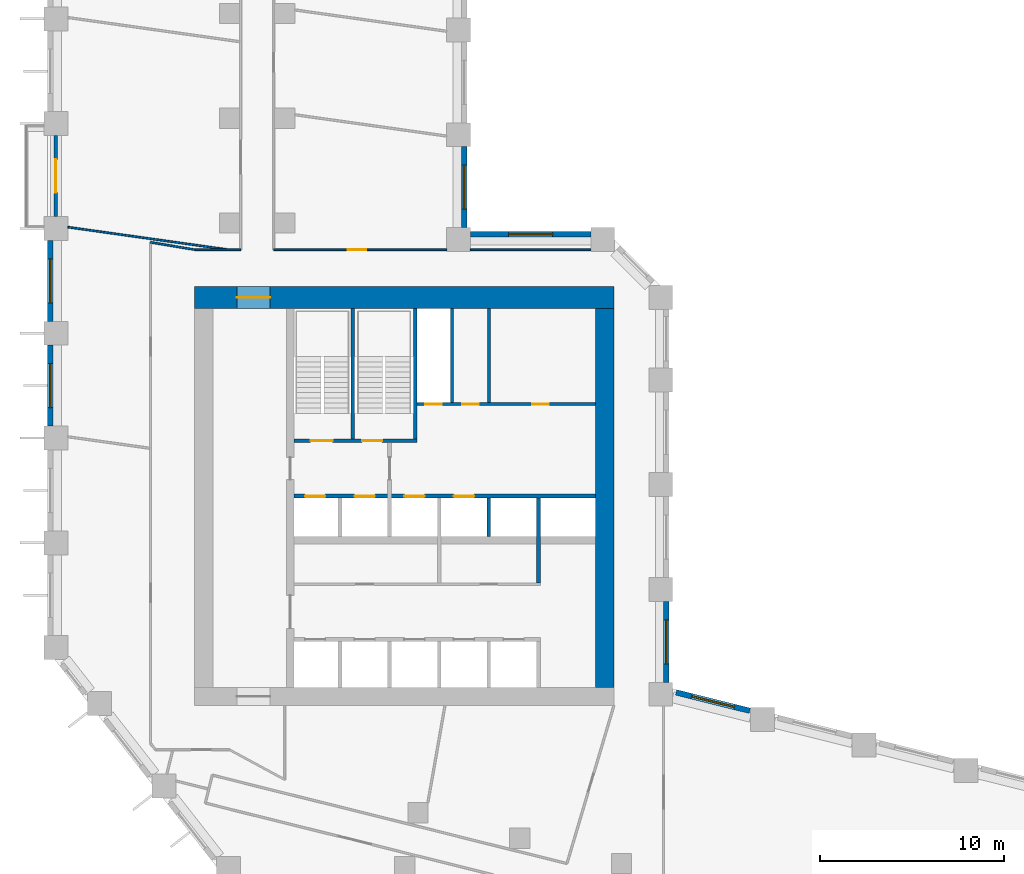
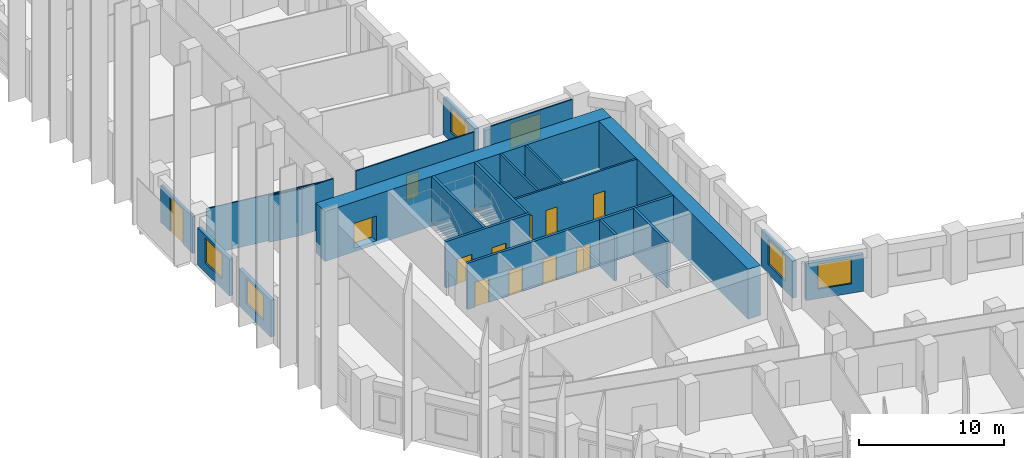
# One storey, part 5 of 10: 23 walls, 12 doors, 6 windows, 18 openings.
"""IFC4 building model written with IfcOpenShell, lengths in metres."""

from ifc_helpers import new_model, si_unit, direction, frame, frame_2d, origin, place, context, subcontext, project, spatial, rectangle, extrude, material, layer, layer_set, type_object, element, fill, save


model = new_model("IFC4")

# Units and contexts
model_context = context("Model", 3, precision=1e-05, world=origin(), true_north=direction((0.0, 1.0)))
body_context = subcontext(model_context, "Body", "Model", "MODEL_VIEW")
ifc_project = project(units=[si_unit("LENGTHUNIT", "METRE"), si_unit("AREAUNIT", "SQUARE_METRE"), si_unit("VOLUMEUNIT", "CUBIC_METRE"), si_unit("PLANEANGLEUNIT", "RADIAN"), si_unit("MASSUNIT", "GRAM", prefix="KILO")], contexts=[model_context])

# Site, building, storey
site_placement = place(None, origin())
site = spatial("IfcSite", under=ifc_project, at=site_placement, CompositionType="ELEMENT")
building_placement = place(site_placement, origin())
building = spatial("IfcBuilding", under=site, at=building_placement, Name="Meshkara Civic Tower", CompositionType="ELEMENT")
storey_placement = place(building_placement, frame((0.0, 0.0, 114.0)))
storey = spatial("IfcBuildingStorey", under=building, at=storey_placement, Name="L25", CompositionType="ELEMENT", Elevation=114.0)

# Wall, openings, doors
ifc_material_1 = material(Name="Blockwork", Category="masonry")
ifc_layer_1 = layer(ifc_material_1, 0.14990234375)
ifc_layer_set_1 = layer_set([ifc_layer_1], Name="Core partition 150")
wall_type_1 = type_object("IfcWallType", Name="Core partition 150", PredefinedType="PARTITIONING", material=ifc_layer_set_1)
wall_1_placement = place(storey_placement, frame((20.10009765625, 30.5, 0.0), z_axis=(0.0, 0.0, 1.0), x_axis=(1.0, 0.0, 0.0)))
wall_1 = element("IfcWall", 1, at=wall_1_placement, inside=storey, type_object=wall_type_1, Name="L25-C010", PredefinedType="PARTITIONING", context=body_context, shape_type="SweptSolid", body=[
    extrude(rectangle(XDim=9.699951171875, YDim=0.14990234375, at=frame_2d((4.85009765625, 0.0))), origin(), (0.0, 0.0, 1.0), 3.89990234375),
])
opening_1_placement = place(wall_1_placement, frame((0.449951171875, 0.0, 0.0)))
opening_1 = element("IfcOpeningElement", 2, at=opening_1_placement, cuts=wall_1, Name="Opening L25-K012", PredefinedType="OPENING", context=body_context, shape_type="SweptSolid", body=[
    extrude(rectangle(XDim=0.89990234375, YDim=2.10009765625, at=frame_2d((0.449951171875, 1.050048828125))), frame((0.0, 0.0849609375, 0.0), z_axis=(0.0, -1.0, 0.0), x_axis=(1.0, 0.0, 0.0)), (0.0, 0.0, 1.0), 0.169921875),
])
opening_2_placement = place(wall_1_placement, frame((2.449951171875, 0.0, 0.0)))
opening_2 = element("IfcOpeningElement", 3, at=opening_2_placement, cuts=wall_1, Name="Opening L25-K013", PredefinedType="OPENING", context=body_context, shape_type="SweptSolid", body=[
    extrude(rectangle(XDim=0.89990234375, YDim=2.10009765625, at=frame_2d((0.449951171875, 1.050048828125))), frame((0.0, 0.0849609375, 0.0), z_axis=(0.0, -1.0, 0.0), x_axis=(1.0, 0.0, 0.0)), (0.0, 0.0, 1.0), 0.169921875),
])
opening_3_placement = place(wall_1_placement, frame((6.25, 0.0, 0.0)))
opening_3 = element("IfcOpeningElement", 4, at=opening_3_placement, cuts=wall_1, Name="Opening L25-K014", PredefinedType="OPENING", context=body_context, shape_type="SweptSolid", body=[
    extrude(rectangle(XDim=0.89990234375, YDim=2.10009765625, at=frame_2d((0.449951171875, 1.050048828125))), frame((0.0, 0.0849609375, 0.0), z_axis=(0.0, -1.0, 0.0), x_axis=(1.0, 0.0, 0.0)), (0.0, 0.0, 1.0), 0.169921875),
])
ifc_material_2 = material(Name="Timber door leaf in steel frame", Category="steel")
door_type_1 = type_object("IfcDoorType", Name="Core room door 900", OperationType="SINGLE_SWING_LEFT", PredefinedType="DOOR", material=ifc_material_2)
door_1_placement = place(opening_3_placement, origin())
door_1 = element("IfcDoor", 5, at=door_1_placement, inside=storey, type_object=door_type_1, Name="L25-K014", OperationType="SINGLE_SWING_RIGHT", OverallHeight=2.10009765625, OverallWidth=0.89990234375, PredefinedType="DOOR", context=body_context, shape_type="SweptSolid", body=[
    extrude(rectangle(XDim=0.89990234375, YDim=2.10009765625, at=frame_2d((0.449951171875, 1.050048828125))), frame((0.0, 0.02490234375, 0.0), z_axis=(0.0, -1.0, 0.0), x_axis=(1.0, 0.0, 0.0)), (0.0, 0.0, 1.0), 0.050048828125),
])
fill(opening_3, door_1)
ifc_material_3 = material(Name="Fire-rated door leaf in steel frame", Category="steel")
door_type_2 = type_object("IfcDoorType", Name="Riser door 900", OperationType="SINGLE_SWING_LEFT", PredefinedType="DOOR", material=ifc_material_3)
door_2_placement = place(opening_1_placement, origin())
door_2 = element("IfcDoor", 6, at=door_2_placement, inside=storey, type_object=door_type_2, Name="L25-K012", OperationType="SINGLE_SWING_RIGHT", OverallHeight=2.10009765625, OverallWidth=0.89990234375, PredefinedType="DOOR", context=body_context, shape_type="SweptSolid", body=[
    extrude(rectangle(XDim=0.89990234375, YDim=2.10009765625, at=frame_2d((0.449951171875, 1.050048828125))), frame((0.0, 0.02490234375, 0.0), z_axis=(0.0, -1.0, 0.0), x_axis=(1.0, 0.0, 0.0)), (0.0, 0.0, 1.0), 0.050048828125),
])
fill(opening_1, door_2)
ifc_material_4 = material(Name="Timber door leaf in steel frame", Category="steel")
door_type_3 = type_object("IfcDoorType", Name="WC door 900", OperationType="SINGLE_SWING_LEFT", PredefinedType="DOOR", material=ifc_material_4)
door_3_placement = place(opening_2_placement, origin())
door_3 = element("IfcDoor", 7, at=door_3_placement, inside=storey, type_object=door_type_3, Name="L25-K013", OperationType="SINGLE_SWING_LEFT", OverallHeight=2.10009765625, OverallWidth=0.89990234375, PredefinedType="DOOR", context=body_context, shape_type="SweptSolid", body=[
    extrude(rectangle(XDim=0.89990234375, YDim=2.10009765625, at=frame_2d((0.449951171875, 1.050048828125))), frame((0.0, 0.02490234375, 0.0), z_axis=(0.0, -1.0, 0.0), x_axis=(1.0, 0.0, 0.0)), (0.0, 0.0, 1.0), 0.050048828125),
])
fill(opening_2, door_3)

# Walls
for number, where, z_axis, x_axis, name in (
    (8, (22.0, 30.574951171875, 0.0), (0.0, 0.0, 1.0), (0.0, 1.0, 0.0), "L25-C020"),
    (9, (24.0, 30.574951171875, 0.0), (0.0, 0.0, 1.0), (0.0, 1.0, 0.0), "L25-C023"),
):
    element("IfcWall", number, at=place(storey_placement, frame(where, z_axis=z_axis, x_axis=x_axis)), inside=storey, type_object=wall_type_1, Name=name, PredefinedType="PARTITIONING", context=body_context, shape_type="SweptSolid", body=[
        extrude(rectangle(XDim=5.125, YDim=0.14990234375, at=frame_2d((2.5625, 0.0))), origin(), (0.0, 0.0, 1.0), 3.89990234375),
    ])
ifc_material_5 = material(Name="Concrete C70", Category="concrete")
ifc_layer_2 = layer(ifc_material_5, 1.0)
ifc_layer_set_2 = layer_set([ifc_layer_2], Name="Core ring wall 1000 C70")
wall_type_2 = type_object("IfcWallType", Name="Core ring wall 1000 C70", PredefinedType="SHEAR", material=ifc_layer_set_2)
wall_2_placement = place(storey_placement, frame((30.300048828125, 15.10009765625, -0.300048828125), z_axis=(0.0, 0.0, 1.0), x_axis=(0.0, 1.0, 0.0)))
element("IfcWall", 10, at=wall_2_placement, inside=storey, type_object=wall_type_2, Name="L25-C004", PredefinedType="SHEAR", context=body_context, shape_type="SweptSolid", body=[
    extrude(rectangle(XDim=20.599853515625, YDim=1.0, at=frame_2d((10.2998046875, 0.0))), origin(), (0.0, 0.0, 1.0), 4.199951171875),
])

# Wall, opening, door
ifc_material_6 = material(Name="Concrete C70", Category="concrete")
ifc_layer_3 = layer(ifc_material_6, 1.199951171875)
ifc_layer_set_3 = layer_set([ifc_layer_3], Name="Core ring wall 1200 C70")
wall_type_3 = type_object("IfcWallType", Name="Core ring wall 1200 C70", PredefinedType="SHEAR", material=ifc_layer_set_3)
wall_3_placement = place(storey_placement, frame((8.0, 36.300048828125, -0.300048828125), z_axis=(0.0, 0.0, 1.0), x_axis=(1.0, 0.0, 0.0)))
wall_3 = element("IfcWall", 11, at=wall_3_placement, inside=storey, type_object=wall_type_3, Name="L25-C002", PredefinedType="SHEAR", context=body_context, shape_type="SweptSolid", body=[
    extrude(rectangle(XDim=22.800048828125, YDim=1.199951171875, at=frame_2d((11.39990234375, 0.0))), origin(), (0.0, 0.0, 1.0), 4.199951171875),
])
opening_4_placement = place(wall_3_placement, frame((2.300048828125, 0.0, 0.300048828125)))
opening_4 = element("IfcOpeningElement", 12, at=opening_4_placement, cuts=wall_3, Name="Opening L25-K020", PredefinedType="OPENING", context=body_context, shape_type="SweptSolid", body=[
    extrude(rectangle(XDim=1.800048828125, YDim=2.10009765625, at=frame_2d((0.89990234375, 1.050048828125))), frame((0.0, 0.60986328125, 0.0), z_axis=(0.0, -1.0, 0.0), x_axis=(1.0, 0.0, 0.0)), (0.0, 0.0, 1.0), 1.219970703125),
])
ifc_material_7 = material(Name="Fire-rated door leaf in steel frame", Category="steel")
door_type_4 = type_object("IfcDoorType", Name="Core double door 1800 EI 60", OperationType="DOUBLE_DOOR_SINGLE_SWING", PredefinedType="DOOR", material=ifc_material_7)
door_4_placement = place(opening_4_placement, origin())
door_4 = element("IfcDoor", 13, at=door_4_placement, inside=storey, type_object=door_type_4, Name="L25-K020", OperationType="DOUBLE_DOOR_SINGLE_SWING", OverallHeight=2.10009765625, OverallWidth=1.800048828125, PredefinedType="DOOR", context=body_context, shape_type="SweptSolid", body=[
    extrude(rectangle(XDim=1.800048828125, YDim=2.10009765625, at=frame_2d((0.89990234375, 1.050048828125))), frame((0.0, 0.02490234375, 0.0), z_axis=(0.0, -1.0, 0.0), x_axis=(1.0, 0.0, 0.0)), (0.0, 0.0, 1.0), 0.050048828125),
])
fill(opening_4, door_4)

# Walls
ifc_material_8 = material(Name="Corridor wall 100")
ifc_layer_4 = layer(ifc_material_8, 0.10009765625)
ifc_layer_set_4 = layer_set([ifc_layer_4], Name="Corridor wall 100")
wall_type_4 = type_object("IfcWallType", Name="Corridor wall 100", PredefinedType="PARTITIONING", material=ifc_layer_set_4)
wall_4_placement = place(storey_placement, frame((8.0, 38.89990234375, 0.0), z_axis=(0.0, 0.0, 1.0), x_axis=(1.0, 0.0, 0.0)))
element("IfcWall", 14, at=wall_4_placement, inside=storey, type_object=wall_type_4, Name="L25-W007", PredefinedType="PARTITIONING", context=body_context, shape_type="SweptSolid", body=[
    extrude(rectangle(XDim=2.5, YDim=0.10009765625, at=frame_2d((1.25, 0.0))), origin(), (0.0, 0.0, 1.0), 3.89990234375),
])
wall_5_placement = place(storey_placement, frame((8.0, 38.89990234375, 0.0), z_axis=(0.0, 0.0, 1.0), x_axis=(-0.986383073668, 0.16446407505, 0.0)))
element("IfcWall", 15, at=wall_5_placement, inside=storey, type_object=wall_type_4, Name="L25-W008", PredefinedType="PARTITIONING", context=body_context, shape_type="SweptSolid", body=[
    extrude(rectangle(XDim=2.43310546875, YDim=0.10009765625, at=frame_2d((1.216552734375, 0.0))), origin(), (0.0, 0.0, 1.0), 3.89990234375),
])

# Wall, opening, door
wall_6_placement = place(storey_placement, frame((21.699951171875, 38.89990234375, 0.0), z_axis=(0.0, 0.0, 1.0), x_axis=(-1.0, 0.0, 0.0)))
wall_6 = element("IfcWall", 16, at=wall_6_placement, inside=storey, type_object=wall_type_4, Name="L25-W019", PredefinedType="PARTITIONING", context=body_context, shape_type="SweptSolid", body=[
    extrude(rectangle(XDim=9.39990234375, YDim=0.10009765625, at=frame_2d((4.699951171875, 0.0))), origin(), (0.0, 0.0, 1.0), 3.89990234375),
])
opening_5_placement = place(wall_6_placement, frame((4.3798828125, 0.0, 0.0)))
opening_5 = element("IfcOpeningElement", 17, at=opening_5_placement, cuts=wall_6, Name="Opening L25-D017", PredefinedType="OPENING", context=body_context, shape_type="SweptSolid", body=[
    extrude(rectangle(XDim=1.0, YDim=2.10009765625, at=frame_2d((0.5, 1.050048828125))), frame((0.0, 0.06005859375, 0.0), z_axis=(0.0, -1.0, 0.0), x_axis=(1.0, 0.0, 0.0)), (0.0, 0.0, 1.0), 0.1201171875),
])
ifc_material_9 = material(Name="Door 1000 x 2100")
door_type_5 = type_object("IfcDoorType", Name="Door 1000 x 2100", OperationType="SINGLE_SWING_LEFT", PredefinedType="DOOR", material=ifc_material_9)
door_5_placement = place(opening_5_placement, origin())
door_5 = element("IfcDoor", 18, at=door_5_placement, inside=storey, type_object=door_type_5, Name="L25-D017", OperationType="SINGLE_SWING_LEFT", OverallHeight=2.10009765625, OverallWidth=1.0, PredefinedType="DOOR", context=body_context, shape_type="SweptSolid", body=[
    extrude(rectangle(XDim=1.0, YDim=2.10009765625, at=frame_2d((0.5, 1.050048828125))), frame((0.0, 0.02490234375, 0.0), z_axis=(0.0, -1.0, 0.0), x_axis=(1.0, 0.0, 0.0)), (0.0, 0.0, 1.0), 0.050048828125),
])
fill(opening_5, door_5)

# Wall
wall_7_placement = place(storey_placement, frame((29.5439453125, 38.89990234375, 0.0), z_axis=(0.0, 0.0, 1.0), x_axis=(-1.0, 0.0, 0.0)))
element("IfcWall", 19, at=wall_7_placement, inside=storey, type_object=wall_type_4, Name="L25-W020", PredefinedType="PARTITIONING", context=body_context, shape_type="SweptSolid", body=[
    extrude(rectangle(XDim=6.5439453125, YDim=0.10009765625, at=frame_2d((3.27197265625, 0.0))), origin(), (0.0, 0.0, 1.0), 3.89990234375),
])

# Wall, opening, window
ifc_material_10 = material(Name="Insulated infill panel with bronze anodised aluminium cladding", Category="aluminium")
ifc_layer_5 = layer(ifc_material_10, 0.300048828125)
ifc_layer_set_5 = layer_set([ifc_layer_5], Name="EXTERNAL INFILL WALL 300")
wall_type_5 = type_object("IfcWallType", Name="EXTERNAL INFILL WALL 300", PredefinedType="SOLIDWALL", material=ifc_layer_set_5)
wall_8_placement = place(storey_placement, frame((38.18896484375, 13.822021484375, 0.0), z_axis=(0.0, 0.0, 1.0), x_axis=(-0.970281616392, 0.241978480223, 0.0)))
wall_8 = element("IfcWall", 20, at=wall_8_placement, inside=storey, type_object=wall_type_5, Name="External wall", PredefinedType="SOLIDWALL", context=body_context, shape_type="SweptSolid", body=[
    extrude(rectangle(XDim=4.12451171875, YDim=0.300048828125, at=frame_2d((2.062255859375, 0.0))), origin(), (0.0, 0.0, 1.0), 3.10009765625),
])
opening_6_placement = place(wall_8_placement, frame((0.862060546875, 0.0, 0.800048828125)))
opening_6 = element("IfcOpeningElement", 21, at=opening_6_placement, cuts=wall_8, Name="Opening W7", PredefinedType="OPENING", context=body_context, shape_type="SweptSolid", body=[
    extrude(rectangle(XDim=2.39990234375, YDim=2.10009765625, at=frame_2d((1.199951171875, 1.050048828125))), frame((0.0, 0.159912109375, 0.0), z_axis=(0.0, -1.0, 0.0), x_axis=(1.0, 0.0, 0.0)), (0.0, 0.0, 1.0), 0.320068359375),
])
ifc_material_11 = material(Name="Tinted double glazing", Category="glass")
window_type = type_object("IfcWindowType", Name="WINDOW 2400x2100", PartitioningType="DOUBLE_PANEL_VERTICAL", PredefinedType="WINDOW", material=ifc_material_11)
window_1_placement = place(opening_6_placement, origin())
window_1 = element("IfcWindow", 22, at=window_1_placement, inside=storey, type_object=window_type, Name="Window", OverallHeight=2.10009765625, OverallWidth=2.39990234375, PartitioningType="DOUBLE_PANEL_VERTICAL", PredefinedType="WINDOW", context=body_context, shape_type="SweptSolid", body=[
    extrude(rectangle(XDim=2.39990234375, YDim=2.10009765625, at=frame_2d((1.199951171875, 1.050048828125))), frame((0.0, 0.030029296875, 0.0), z_axis=(0.0, -1.0, 0.0), x_axis=(1.0, 0.0, 0.0)), (0.0, 0.0, 1.0), 0.06005859375),
])
fill(opening_6, window_1)

wall_9_placement = place(storey_placement, frame((33.64990234375, 15.368896484375, 0.0), z_axis=(0.0, 0.0, 1.0), x_axis=(0.0, 1.0, 0.0)))
wall_9 = element("IfcWall", 23, at=wall_9_placement, inside=storey, type_object=wall_type_5, Name="External wall", PredefinedType="SOLIDWALL", context=body_context, shape_type="SweptSolid", body=[
    extrude(rectangle(XDim=4.400146484375, YDim=0.300048828125, at=frame_2d((2.2001953125, 0.0))), origin(), (0.0, 0.0, 1.0), 3.10009765625),
])
opening_7_placement = place(wall_9_placement, frame((1.0, 0.0, 0.800048828125)))
opening_7 = element("IfcOpeningElement", 24, at=opening_7_placement, cuts=wall_9, Name="Opening W7", PredefinedType="OPENING", context=body_context, shape_type="SweptSolid", body=[
    extrude(rectangle(XDim=2.39990234375, YDim=2.10009765625, at=frame_2d((1.199951171875, 1.050048828125))), frame((0.0, 0.159912109375, 0.0), z_axis=(0.0, -1.0, 0.0), x_axis=(1.0, 0.0, 0.0)), (0.0, 0.0, 1.0), 0.320068359375),
])
window_2_placement = place(opening_7_placement, origin())
window_2 = element("IfcWindow", 25, at=window_2_placement, inside=storey, type_object=window_type, Name="Window", OverallHeight=2.10009765625, OverallWidth=2.39990234375, PartitioningType="DOUBLE_PANEL_VERTICAL", PredefinedType="WINDOW", context=body_context, shape_type="SweptSolid", body=[
    extrude(rectangle(XDim=2.39990234375, YDim=2.10009765625, at=frame_2d((1.199951171875, 1.050048828125))), frame((0.0, 0.030029296875, 0.0), z_axis=(0.0, -1.0, 0.0), x_axis=(1.0, 0.0, 0.0)), (0.0, 0.0, 1.0), 0.06005859375),
])
fill(opening_7, window_2)

wall_10_placement = place(storey_placement, frame((29.5439453125, 39.75, 0.0), z_axis=(0.0, 0.0, 1.0), x_axis=(-1.0, 0.0, 0.0)))
wall_10 = element("IfcWall", 26, at=wall_10_placement, inside=storey, type_object=wall_type_5, Name="External wall", PredefinedType="SOLIDWALL", context=body_context, shape_type="SweptSolid", body=[
    extrude(rectangle(XDim=6.5439453125, YDim=0.300048828125, at=frame_2d((3.27197265625, 0.0))), origin(), (0.0, 0.0, 1.0), 3.10009765625),
])
opening_8_placement = place(wall_10_placement, frame((2.072021484375, 0.0, 0.800048828125)))
opening_8 = element("IfcOpeningElement", 27, at=opening_8_placement, cuts=wall_10, Name="Opening W7", PredefinedType="OPENING", context=body_context, shape_type="SweptSolid", body=[
    extrude(rectangle(XDim=2.39990234375, YDim=2.10009765625, at=frame_2d((1.199951171875, 1.050048828125))), frame((0.0, 0.159912109375, 0.0), z_axis=(0.0, -1.0, 0.0), x_axis=(1.0, 0.0, 0.0)), (0.0, 0.0, 1.0), 0.320068359375),
])
window_3_placement = place(opening_8_placement, origin())
window_3 = element("IfcWindow", 28, at=window_3_placement, inside=storey, type_object=window_type, Name="Window", OverallHeight=2.10009765625, OverallWidth=2.39990234375, PartitioningType="DOUBLE_PANEL_VERTICAL", PredefinedType="WINDOW", context=body_context, shape_type="SweptSolid", body=[
    extrude(rectangle(XDim=2.39990234375, YDim=2.10009765625, at=frame_2d((1.199951171875, 1.050048828125))), frame((0.0, 0.030029296875, 0.0), z_axis=(0.0, -1.0, 0.0), x_axis=(1.0, 0.0, 0.0)), (0.0, 0.0, 1.0), 0.06005859375),
])
fill(opening_8, window_3)

wall_11_placement = place(storey_placement, frame((22.64990234375, 40.10009765625, 0.0), z_axis=(0.0, 0.0, 1.0), x_axis=(0.0, 1.0, 0.0)))
wall_11 = element("IfcWall", 29, at=wall_11_placement, inside=storey, type_object=wall_type_5, Name="External wall", PredefinedType="SOLIDWALL", context=body_context, shape_type="SweptSolid", body=[
    extrude(rectangle(XDim=4.39990234375, YDim=0.300048828125, at=frame_2d((2.199951171875, 0.0))), origin(), (0.0, 0.0, 1.0), 3.10009765625),
])
opening_9_placement = place(wall_11_placement, frame((1.0, 0.0, 0.800048828125)))
opening_9 = element("IfcOpeningElement", 30, at=opening_9_placement, cuts=wall_11, Name="Opening W7", PredefinedType="OPENING", context=body_context, shape_type="SweptSolid", body=[
    extrude(rectangle(XDim=2.39990234375, YDim=2.10009765625, at=frame_2d((1.199951171875, 1.050048828125))), frame((0.0, 0.159912109375, 0.0), z_axis=(0.0, -1.0, 0.0), x_axis=(1.0, 0.0, 0.0)), (0.0, 0.0, 1.0), 0.320068359375),
])
window_4_placement = place(opening_9_placement, origin())
window_4 = element("IfcWindow", 31, at=window_4_placement, inside=storey, type_object=window_type, Name="Window", OverallHeight=2.10009765625, OverallWidth=2.39990234375, PartitioningType="DOUBLE_PANEL_VERTICAL", PredefinedType="WINDOW", context=body_context, shape_type="SweptSolid", body=[
    extrude(rectangle(XDim=2.39990234375, YDim=2.10009765625, at=frame_2d((1.199951171875, 1.050048828125))), frame((0.0, 0.030029296875, 0.0), z_axis=(0.0, -1.0, 0.0), x_axis=(1.0, 0.0, 0.0)), (0.0, 0.0, 1.0), 0.06005859375),
])
fill(opening_9, window_4)

wall_12_placement = place(storey_placement, frame((0.14990234375, 39.405029296875, 0.0), z_axis=(0.0, 0.0, 1.0), x_axis=(0.0, -1.0, 0.0)))
wall_12 = element("IfcWall", 32, at=wall_12_placement, inside=storey, type_object=wall_type_5, Name="External wall", PredefinedType="SOLIDWALL", context=body_context, shape_type="SweptSolid", body=[
    extrude(rectangle(XDim=4.400146484375, YDim=0.300048828125, at=frame_2d((2.2001953125, 0.0))), origin(), (0.0, 0.0, 1.0), 3.10009765625),
])
opening_10_placement = place(wall_12_placement, frame((1.0, 0.0, 0.800048828125)))
opening_10 = element("IfcOpeningElement", 33, at=opening_10_placement, cuts=wall_12, Name="Opening W7", PredefinedType="OPENING", context=body_context, shape_type="SweptSolid", body=[
    extrude(rectangle(XDim=2.39990234375, YDim=2.10009765625, at=frame_2d((1.199951171875, 1.050048828125))), frame((0.0, 0.159912109375, 0.0), z_axis=(0.0, -1.0, 0.0), x_axis=(1.0, 0.0, 0.0)), (0.0, 0.0, 1.0), 0.320068359375),
])
window_5_placement = place(opening_10_placement, origin())
window_5 = element("IfcWindow", 34, at=window_5_placement, inside=storey, type_object=window_type, Name="Window", OverallHeight=2.10009765625, OverallWidth=2.39990234375, PartitioningType="DOUBLE_PANEL_VERTICAL", PredefinedType="WINDOW", context=body_context, shape_type="SweptSolid", body=[
    extrude(rectangle(XDim=2.39990234375, YDim=2.10009765625, at=frame_2d((1.199951171875, 1.050048828125))), frame((0.0, 0.030029296875, 0.0), z_axis=(0.0, -1.0, 0.0), x_axis=(1.0, 0.0, 0.0)), (0.0, 0.0, 1.0), 0.06005859375),
])
fill(opening_10, window_5)

wall_13_placement = place(storey_placement, frame((0.14990234375, 33.705078125, 0.0), z_axis=(0.0, 0.0, 1.0), x_axis=(0.0, -1.0, 0.0)))
wall_13 = element("IfcWall", 35, at=wall_13_placement, inside=storey, type_object=wall_type_5, Name="External wall", PredefinedType="SOLIDWALL", context=body_context, shape_type="SweptSolid", body=[
    extrude(rectangle(XDim=4.400146484375, YDim=0.300048828125, at=frame_2d((2.2001953125, 0.0))), origin(), (0.0, 0.0, 1.0), 3.10009765625),
])
opening_11_placement = place(wall_13_placement, frame((1.0, 0.0, 0.800048828125)))
opening_11 = element("IfcOpeningElement", 36, at=opening_11_placement, cuts=wall_13, Name="Opening W7", PredefinedType="OPENING", context=body_context, shape_type="SweptSolid", body=[
    extrude(rectangle(XDim=2.39990234375, YDim=2.10009765625, at=frame_2d((1.199951171875, 1.050048828125))), frame((0.0, 0.159912109375, 0.0), z_axis=(0.0, -1.0, 0.0), x_axis=(1.0, 0.0, 0.0)), (0.0, 0.0, 1.0), 0.320068359375),
])
window_6_placement = place(opening_11_placement, origin())
window_6 = element("IfcWindow", 37, at=window_6_placement, inside=storey, type_object=window_type, Name="Window", OverallHeight=2.10009765625, OverallWidth=2.39990234375, PartitioningType="DOUBLE_PANEL_VERTICAL", PredefinedType="WINDOW", context=body_context, shape_type="SweptSolid", body=[
    extrude(rectangle(XDim=2.39990234375, YDim=2.10009765625, at=frame_2d((1.199951171875, 1.050048828125))), frame((0.0, 0.030029296875, 0.0), z_axis=(0.0, -1.0, 0.0), x_axis=(1.0, 0.0, 0.0)), (0.0, 0.0, 1.0), 0.06005859375),
])
fill(opening_11, window_6)

# Wall, opening, door
ifc_material_12 = material(Name="Insulated infill panel with bronze anodised aluminium cladding", Category="aluminium")
ifc_layer_6 = layer(ifc_material_12, 0.199951171875)
ifc_layer_set_6 = layer_set([ifc_layer_6], Name="LOGGIA BACK WALL 200")
wall_type_6 = type_object("IfcWallType", Name="LOGGIA BACK WALL 200", PredefinedType="SOLIDWALL", material=ifc_layer_set_6)
wall_14_placement = place(storey_placement, frame((0.449951171875, 45.10498046875, 0.0), z_axis=(0.0, 0.0, 1.0), x_axis=(0.0, -1.0, 0.0)))
wall_14 = element("IfcWall", 38, at=wall_14_placement, inside=storey, type_object=wall_type_6, Name="Loggia wall", PredefinedType="SOLIDWALL", context=body_context, shape_type="SweptSolid", body=[
    extrude(rectangle(XDim=4.39892578125, YDim=0.199951171875, at=frame_2d((2.199462890625, 0.0))), origin(), (0.0, 0.0, 1.0), 3.10009765625),
])
opening_12_placement = place(wall_14_placement, frame((1.300048828125, 0.0, 0.0)))
opening_12 = element("IfcOpeningElement", 39, at=opening_12_placement, cuts=wall_14, Name="Opening L25-L001", PredefinedType="OPENING", context=body_context, shape_type="SweptSolid", body=[
    extrude(rectangle(XDim=1.800048828125, YDim=2.89990234375, at=frame_2d((0.89990234375, 1.449951171875))), frame((0.0, 0.10986328125, 0.0), z_axis=(0.0, -1.0, 0.0), x_axis=(1.0, 0.0, 0.0)), (0.0, 0.0, 1.0), 0.219970703125),
])
ifc_material_13 = material(Name="Tinted double glazing", Category="glass")
door_type_6 = type_object("IfcDoorType", Name="LOGGIA DOOR 1800x2900", OperationType="DOUBLE_DOOR_SINGLE_SWING", PredefinedType="DOOR", material=ifc_material_13)
door_6_placement = place(opening_12_placement, origin())
door_6 = element("IfcDoor", 40, at=door_6_placement, inside=storey, type_object=door_type_6, Name="L25-L001", OperationType="DOUBLE_DOOR_SINGLE_SWING", OverallHeight=2.89990234375, OverallWidth=1.800048828125, PredefinedType="DOOR", context=body_context, shape_type="SweptSolid", body=[
    extrude(rectangle(XDim=1.800048828125, YDim=2.89990234375, at=frame_2d((0.89990234375, 1.449951171875))), frame((0.0, 0.02490234375, 0.0), z_axis=(0.0, -1.0, 0.0), x_axis=(1.0, 0.0, 0.0)), (0.0, 0.0, 1.0), 0.050048828125),
])
fill(opening_12, door_6)

# Wall
ifc_material_14 = material(Name="Partition 100")
ifc_layer_7 = layer(ifc_material_14, 0.10009765625)
ifc_layer_set_7 = layer_set([ifc_layer_7], Name="Partition 100")
wall_type_7 = type_object("IfcWallType", Name="Partition 100", PredefinedType="PARTITIONING", material=ifc_layer_set_7)
wall_15_placement = place(storey_placement, frame((9.820068359375, 38.89990234375, 0.0), z_axis=(0.0, 0.0, 1.0), x_axis=(-0.990259266872, 0.139235715156, 0.0)))
element("IfcWall", 41, at=wall_15_placement, inside=storey, type_object=wall_type_7, Name="L25-W035", PredefinedType="PARTITIONING", context=body_context, shape_type="SweptSolid", body=[
    extrude(rectangle(XDim=8.8056640625, YDim=0.10009765625, at=frame_2d((4.40283203125, 0.0))), origin(), (0.0, 0.0, 1.0), 3.89990234375),
])

# Wall, openings, doors
ifc_material_15 = material(Name="Concrete C40/50", Category="concrete")
ifc_layer_8 = layer(ifc_material_15, 0.199951171875)
ifc_layer_set_8 = layer_set([ifc_layer_8], Name="Shaft wall 200 C40/50")
wall_type_8 = type_object("IfcWallType", Name="Shaft wall 200 C40/50", PredefinedType="SOLIDWALL", material=ifc_layer_set_8)
wall_16_placement = place(storey_placement, frame((13.39990234375, 25.5, 0.0), z_axis=(0.0, 0.0, 1.0), x_axis=(1.0, 0.0, 0.0)))
wall_16 = element("IfcWall", 42, at=wall_16_placement, inside=storey, type_object=wall_type_8, Name="L25-C008", PredefinedType="SOLIDWALL", context=body_context, shape_type="SweptSolid", body=[
    extrude(rectangle(XDim=16.400146484375, YDim=0.199951171875, at=frame_2d((8.2001953125, 0.0))), origin(), (0.0, 0.0, 1.0), 3.89990234375),
])
opening_13_placement = place(wall_16_placement, frame((0.60009765625, 0.0, 0.0)))
opening_13 = element("IfcOpeningElement", 43, at=opening_13_placement, cuts=wall_16, Name="Opening L25-K006", PredefinedType="OPENING", context=body_context, shape_type="SweptSolid", body=[
    extrude(rectangle(XDim=1.10009765625, YDim=2.10009765625, at=frame_2d((0.550048828125, 1.050048828125))), frame((0.0, 0.10986328125, 0.0), z_axis=(0.0, -1.0, 0.0), x_axis=(1.0, 0.0, 0.0)), (0.0, 0.0, 1.0), 0.219970703125),
])
opening_14_placement = place(wall_16_placement, frame((3.300048828125, 0.0, 0.0)))
opening_14 = element("IfcOpeningElement", 44, at=opening_14_placement, cuts=wall_16, Name="Opening L25-K007", PredefinedType="OPENING", context=body_context, shape_type="SweptSolid", body=[
    extrude(rectangle(XDim=1.10009765625, YDim=2.10009765625, at=frame_2d((0.550048828125, 1.050048828125))), frame((0.0, 0.10986328125, 0.0), z_axis=(0.0, -1.0, 0.0), x_axis=(1.0, 0.0, 0.0)), (0.0, 0.0, 1.0), 0.219970703125),
])
opening_15_placement = place(wall_16_placement, frame((6.0, 0.0, 0.0)))
opening_15 = element("IfcOpeningElement", 45, at=opening_15_placement, cuts=wall_16, Name="Opening L25-K008", PredefinedType="OPENING", context=body_context, shape_type="SweptSolid", body=[
    extrude(rectangle(XDim=1.10009765625, YDim=2.10009765625, at=frame_2d((0.550048828125, 1.050048828125))), frame((0.0, 0.10986328125, 0.0), z_axis=(0.0, -1.0, 0.0), x_axis=(1.0, 0.0, 0.0)), (0.0, 0.0, 1.0), 0.219970703125),
])
opening_16_placement = place(wall_16_placement, frame((8.699951171875, 0.0, 0.0)))
opening_16 = element("IfcOpeningElement", 46, at=opening_16_placement, cuts=wall_16, Name="Opening L25-K009", PredefinedType="OPENING", context=body_context, shape_type="SweptSolid", body=[
    extrude(rectangle(XDim=1.10009765625, YDim=2.10009765625, at=frame_2d((0.550048828125, 1.050048828125))), frame((0.0, 0.10986328125, 0.0), z_axis=(0.0, -1.0, 0.0), x_axis=(1.0, 0.0, 0.0)), (0.0, 0.0, 1.0), 0.219970703125),
])
ifc_material_16 = material(Name="Stainless steel landing door", Category="steel")
door_type_7 = type_object("IfcDoorType", Name="Lift landing door 1100", OperationType="SLIDING_TO_LEFT", PredefinedType="DOOR", material=ifc_material_16)
door_7_placement = place(opening_13_placement, origin())
door_7 = element("IfcDoor", 47, at=door_7_placement, inside=storey, type_object=door_type_7, Name="L25-K006", OperationType="SLIDING_TO_LEFT", OverallHeight=2.10009765625, OverallWidth=1.10009765625, PredefinedType="DOOR", context=body_context, shape_type="SweptSolid", body=[
    extrude(rectangle(XDim=1.10009765625, YDim=2.10009765625, at=frame_2d((0.550048828125, 1.050048828125))), frame((0.0, 0.02490234375, 0.0), z_axis=(0.0, -1.0, 0.0), x_axis=(1.0, 0.0, 0.0)), (0.0, 0.0, 1.0), 0.050048828125),
])
fill(opening_13, door_7)
door_8_placement = place(opening_14_placement, origin())
door_8 = element("IfcDoor", 48, at=door_8_placement, inside=storey, type_object=door_type_7, Name="L25-K007", OperationType="SLIDING_TO_LEFT", OverallHeight=2.10009765625, OverallWidth=1.10009765625, PredefinedType="DOOR", context=body_context, shape_type="SweptSolid", body=[
    extrude(rectangle(XDim=1.10009765625, YDim=2.10009765625, at=frame_2d((0.550048828125, 1.050048828125))), frame((0.0, 0.02490234375, 0.0), z_axis=(0.0, -1.0, 0.0), x_axis=(1.0, 0.0, 0.0)), (0.0, 0.0, 1.0), 0.050048828125),
])
fill(opening_14, door_8)
door_9_placement = place(opening_15_placement, origin())
door_9 = element("IfcDoor", 49, at=door_9_placement, inside=storey, type_object=door_type_7, Name="L25-K008", OperationType="SLIDING_TO_LEFT", OverallHeight=2.10009765625, OverallWidth=1.10009765625, PredefinedType="DOOR", context=body_context, shape_type="SweptSolid", body=[
    extrude(rectangle(XDim=1.10009765625, YDim=2.10009765625, at=frame_2d((0.550048828125, 1.050048828125))), frame((0.0, 0.02490234375, 0.0), z_axis=(0.0, -1.0, 0.0), x_axis=(1.0, 0.0, 0.0)), (0.0, 0.0, 1.0), 0.050048828125),
])
fill(opening_15, door_9)
door_10_placement = place(opening_16_placement, origin())
door_10 = element("IfcDoor", 50, at=door_10_placement, inside=storey, type_object=door_type_7, Name="L25-K009", OperationType="SLIDING_TO_LEFT", OverallHeight=2.10009765625, OverallWidth=1.10009765625, PredefinedType="DOOR", context=body_context, shape_type="SweptSolid", body=[
    extrude(rectangle(XDim=1.10009765625, YDim=2.10009765625, at=frame_2d((0.550048828125, 1.050048828125))), frame((0.0, 0.02490234375, 0.0), z_axis=(0.0, -1.0, 0.0), x_axis=(1.0, 0.0, 0.0)), (0.0, 0.0, 1.0), 0.050048828125),
])
fill(opening_16, door_10)

# Walls
wall_17_placement = place(storey_placement, frame((24.0, 23.300048828125, 0.0), z_axis=(0.0, 0.0, 1.0), x_axis=(0.0, 1.0, 0.0)))
element("IfcWall", 51, at=wall_17_placement, inside=storey, type_object=wall_type_8, Name="L25-C022", PredefinedType="SOLIDWALL", context=body_context, shape_type="SweptSolid", body=[
    extrude(rectangle(XDim=2.099853515625, YDim=0.199951171875, at=frame_2d((1.0498046875, 0.0))), origin(), (0.0, 0.0, 1.0), 3.89990234375),
])
wall_18_placement = place(storey_placement, frame((26.699951171875, 20.77490234375, 0.0), z_axis=(0.0, 0.0, 1.0), x_axis=(0.0, 1.0, 0.0)))
element("IfcWall", 52, at=wall_18_placement, inside=storey, type_object=wall_type_8, Name="L25-C025", PredefinedType="SOLIDWALL", context=body_context, shape_type="SweptSolid", body=[
    extrude(rectangle(XDim=4.625, YDim=0.199951171875, at=frame_2d((2.3125, 0.0))), origin(), (0.0, 0.0, 1.0), 3.89990234375),
])

# Wall, openings, doors
ifc_material_17 = material(Name="Concrete C40/50", Category="concrete")
ifc_layer_9 = layer(ifc_material_17, 0.199951171875)
ifc_layer_set_9 = layer_set([ifc_layer_9], Name="Stair enclosure wall 200 C40/50")
wall_type_9 = type_object("IfcWallType", Name="Stair enclosure wall 200 C40/50", PredefinedType="SOLIDWALL", material=ifc_layer_set_9)
wall_19_placement = place(storey_placement, frame((13.39990234375, 28.5, 0.0), z_axis=(0.0, 0.0, 1.0), x_axis=(1.0, 0.0, 0.0)))
wall_19 = element("IfcWall", 53, at=wall_19_placement, inside=storey, type_object=wall_type_9, Name="L25-C009", PredefinedType="SOLIDWALL", context=body_context, shape_type="SweptSolid", body=[
    extrude(rectangle(XDim=6.7001953125, YDim=0.199951171875, at=frame_2d((3.35009765625, 0.0))), origin(), (0.0, 0.0, 1.0), 3.89990234375),
])
opening_17_placement = place(wall_19_placement, frame((0.89990234375, 0.0, 0.0)))
opening_17 = element("IfcOpeningElement", 54, at=opening_17_placement, cuts=wall_19, Name="Opening L25-K015", PredefinedType="OPENING", context=body_context, shape_type="SweptSolid", body=[
    extrude(rectangle(XDim=1.199951171875, YDim=2.10009765625, at=frame_2d((0.60009765625, 1.050048828125))), frame((0.0, 0.10986328125, 0.0), z_axis=(0.0, -1.0, 0.0), x_axis=(1.0, 0.0, 0.0)), (0.0, 0.0, 1.0), 0.219970703125),
])
opening_18_placement = place(wall_19_placement, frame((3.699951171875, 0.0, 0.0)))
opening_18 = element("IfcOpeningElement", 55, at=opening_18_placement, cuts=wall_19, Name="Opening L25-K016", PredefinedType="OPENING", context=body_context, shape_type="SweptSolid", body=[
    extrude(rectangle(XDim=1.10009765625, YDim=2.10009765625, at=frame_2d((0.550048828125, 1.050048828125))), frame((0.0, 0.10986328125, 0.0), z_axis=(0.0, -1.0, 0.0), x_axis=(1.0, 0.0, 0.0)), (0.0, 0.0, 1.0), 0.219970703125),
])
ifc_material_18 = material(Name="Fire-rated door leaf in steel frame", Category="steel")
door_type_8 = type_object("IfcDoorType", Name="Stair door 1100 EI 120", OperationType="SINGLE_SWING_LEFT", PredefinedType="DOOR", material=ifc_material_18)
door_11_placement = place(opening_18_placement, origin())
door_11 = element("IfcDoor", 56, at=door_11_placement, inside=storey, type_object=door_type_8, Name="L25-K016", OperationType="SINGLE_SWING_LEFT", OverallHeight=2.10009765625, OverallWidth=1.10009765625, PredefinedType="DOOR", context=body_context, shape_type="SweptSolid", body=[
    extrude(rectangle(XDim=1.10009765625, YDim=2.10009765625, at=frame_2d((0.550048828125, 1.050048828125))), frame((0.0, 0.02490234375, 0.0), z_axis=(0.0, -1.0, 0.0), x_axis=(1.0, 0.0, 0.0)), (0.0, 0.0, 1.0), 0.050048828125),
])
fill(opening_18, door_11)
ifc_material_19 = material(Name="Fire-rated door leaf in steel frame", Category="steel")
door_type_9 = type_object("IfcDoorType", Name="Stair door 1200 EI 120", OperationType="SINGLE_SWING_LEFT", PredefinedType="DOOR", material=ifc_material_19)
door_12_placement = place(opening_17_placement, origin())
door_12 = element("IfcDoor", 57, at=door_12_placement, inside=storey, type_object=door_type_9, Name="L25-K015", OperationType="SINGLE_SWING_RIGHT", OverallHeight=2.10009765625, OverallWidth=1.199951171875, PredefinedType="DOOR", context=body_context, shape_type="SweptSolid", body=[
    extrude(rectangle(XDim=1.199951171875, YDim=2.10009765625, at=frame_2d((0.60009765625, 1.050048828125))), frame((0.0, 0.02490234375, 0.0), z_axis=(0.0, -1.0, 0.0), x_axis=(1.0, 0.0, 0.0)), (0.0, 0.0, 1.0), 0.050048828125),
])
fill(opening_17, door_12)

# Walls
for number, where, z_axis, x_axis, name in (
    (58, (16.60009765625, 28.60009765625, 0.0), (0.0, 0.0, 1.0), (0.0, 1.0, 0.0), "L25-C014"),
    (59, (20.0, 28.60009765625, 0.0), (0.0, 0.0, 1.0), (0.0, 1.0, 0.0), "L25-C017"),
):
    element("IfcWall", number, at=place(storey_placement, frame(where, z_axis=z_axis, x_axis=x_axis)), inside=storey, type_object=wall_type_9, Name=name, PredefinedType="SOLIDWALL", context=body_context, shape_type="SweptSolid", body=[
        extrude(rectangle(XDim=7.099853515625, YDim=0.199951171875, at=frame_2d((3.5498046875, 0.0))), origin(), (0.0, 0.0, 1.0), 3.89990234375),
    ])

save(model, "model.ifc")
